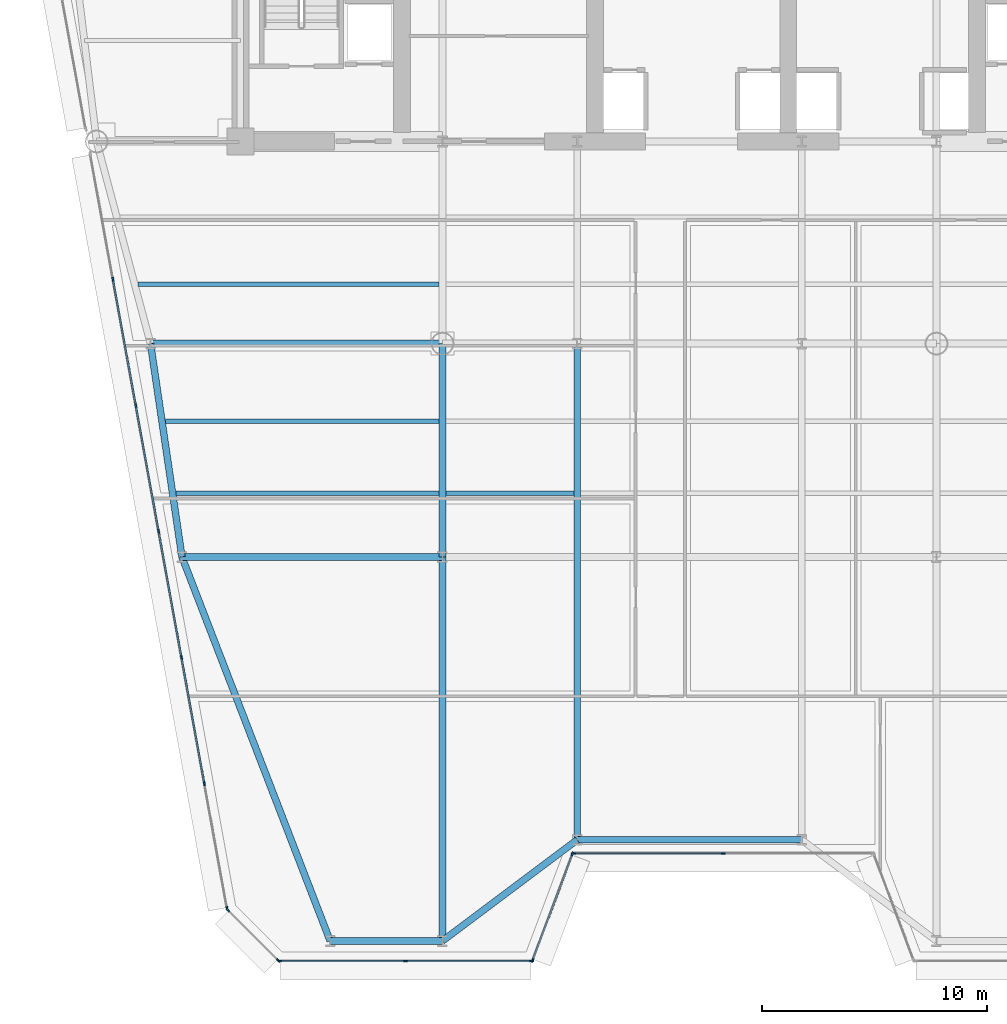
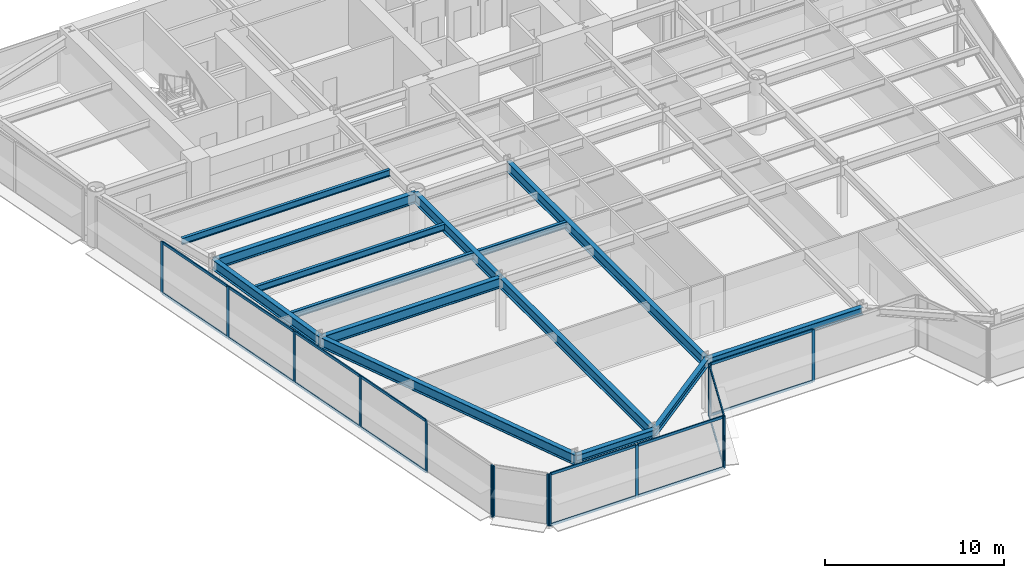
# One storey, part 2 of 14: 31 members, 14 beams, 5 elements without a shape of their own.
"""IFC4 building model written with IfcOpenShell, lengths in metres."""

from ifc_helpers import new_model, si_unit, direction, frame, origin, origin_2d, place, context, subcontext, project, spatial, rectangle, i_section, extrude, source, transform, mapped, material, layer, layer_set, material_profile, profile_set, type_object, element, aggregate, save


model = new_model("IFC4")

# Units and contexts
model_context = context("Model", 3, precision=1e-05, world=origin(), true_north=direction((0.0, 1.0)))
body_context = subcontext(model_context, "Body", "Model", "MODEL_VIEW")
ifc_project = project(units=[si_unit("LENGTHUNIT", "METRE"), si_unit("AREAUNIT", "SQUARE_METRE"), si_unit("VOLUMEUNIT", "CUBIC_METRE"), si_unit("PLANEANGLEUNIT", "RADIAN"), si_unit("MASSUNIT", "GRAM", prefix="KILO")], contexts=[model_context])

# Site, building, storey
site_placement = place(None, origin())
site = spatial("IfcSite", under=ifc_project, at=site_placement, CompositionType="ELEMENT")
building_placement = place(site_placement, origin())
building = spatial("IfcBuilding", under=site, at=building_placement, Name="Vaeldorn Concourse Tower", CompositionType="ELEMENT")
storey_placement = place(building_placement, frame((0.0, 0.0, 145.199951171875)))
storey = spatial("IfcBuildingStorey", under=building, at=storey_placement, Name="L37", CompositionType="ELEMENT", Elevation=145.199951171875)

# Beams
ifc_material_1 = material(Name="Steel S355", Category="steel")
ifc_material_profile_1 = material_profile(ifc_material_1, i_section(OverallWidth=0.300048828125, OverallDepth=0.699951171875, WebThickness=0.01708984375, FlangeThickness=0.031982421875, FilletRadius=0.027099609375, at=origin_2d()), Name="HEB 700")
ifc_profile_set_1 = profile_set([ifc_material_profile_1], Name="Steel S355")
beam_type_1 = type_object("IfcBeamType", Name="BM-PG-HEB700", PredefinedType="BEAM", material=ifc_profile_set_1)
shared_shape_1 = source(origin(), body_context, "Body", "SweptSolid", [
    extrude(i_section(OverallWidth=0.300048828125, OverallDepth=0.699951171875, WebThickness=0.01708984375, FlangeThickness=0.031982421875, FilletRadius=0.027099609375, at=origin_2d()), origin(), (0.0, 0.0, 1.0), 13.0),
])
beam_1_placement = place(storey_placement, frame((10.0, 27.5, 3.18994140625), z_axis=(1.0, 0.0, 0.0), x_axis=(0.0, 1.0, 0.0)))
element("IfcBeam", 1, at=beam_1_placement, inside=storey, type_object=beam_type_1, Name="Beam BM-L37-C-FLW1-C-TW1", PredefinedType="BEAM", context=body_context, shape_type="MappedRepresentation", body=[
    mapped(shared_shape_1, transform((0.0, 0.0, 0.0), scale=1.0)),
])
ifc_material_profile_2 = material_profile(ifc_material_1, i_section(OverallWidth=0.300048828125, OverallDepth=0.5, WebThickness=0.014404296875, FlangeThickness=0.028076171875, FilletRadius=0.027099609375, at=origin_2d()), Name="HEB 500")
ifc_profile_set_2 = profile_set([ifc_material_profile_2], Name="Steel S355")
beam_type_2 = type_object("IfcBeamType", Name="BM-SP-HEB500", PredefinedType="SPANDREL", material=ifc_profile_set_2)
shared_shape_2 = source(origin(), body_context, "Body", "SweptSolid", [
    extrude(i_section(OverallWidth=0.300048828125, OverallDepth=0.5, WebThickness=0.014404296875, FlangeThickness=0.028076171875, FilletRadius=0.027099609375, at=origin_2d()), origin(), (0.0, 0.0, 1.0), 5.0),
])
beam_2_placement = place(storey_placement, frame((18.0, 0.89990234375, 3.2900390625), z_axis=(1.0, 0.0, 0.0), x_axis=(0.0, 1.0, 0.0)))
element("IfcBeam", 2, at=beam_2_placement, inside=storey, type_object=beam_type_2, Name="Beam BM-L37-C-SF1-C-SF2", PredefinedType="SPANDREL", context=body_context, shape_type="MappedRepresentation", body=[
    mapped(shared_shape_2, transform((0.0, 0.0, 0.0), scale=1.0)),
])
shared_shape_3 = source(origin(), body_context, "Body", "SweptSolid", [
    extrude(i_section(OverallWidth=0.300048828125, OverallDepth=0.5, WebThickness=0.014404296875, FlangeThickness=0.028076171875, FilletRadius=0.027099609375, at=origin_2d()), origin(), (0.0, 0.0, 1.0), 7.5),
])
beam_3_placement = place(storey_placement, frame((23.0, 0.89990234375, 3.2900390625), z_axis=(0.8, 0.6, 0.0), x_axis=(-0.6, 0.8, 0.0)))
element("IfcBeam", 3, at=beam_3_placement, inside=storey, type_object=beam_type_2, Name="Beam BM-L37-C-SF2-C-SF3", PredefinedType="SPANDREL", context=body_context, shape_type="MappedRepresentation", body=[
    mapped(shared_shape_3, transform((0.0, 0.0, 0.0), scale=1.0)),
])
shared_shape_4 = source(origin(), body_context, "Body", "SweptSolid", [
    extrude(i_section(OverallWidth=0.300048828125, OverallDepth=0.5, WebThickness=0.014404296875, FlangeThickness=0.028076171875, FilletRadius=0.027099609375, at=origin_2d()), origin(), (0.0, 0.0, 1.0), 10.0),
])
beam_4_placement = place(storey_placement, frame((29.0, 5.39990234375, 3.2900390625), z_axis=(1.0, 0.0, 0.0), x_axis=(0.0, 1.0, 0.0)))
element("IfcBeam", 4, at=beam_4_placement, inside=storey, type_object=beam_type_2, Name="Beam BM-L37-C-SF3-C-SF4", PredefinedType="SPANDREL", context=body_context, shape_type="MappedRepresentation", body=[
    mapped(shared_shape_4, transform((0.0, 0.0, 0.0), scale=1.0)),
])
shared_shape_5 = source(origin(), body_context, "Body", "SweptSolid", [
    extrude(i_section(OverallWidth=0.300048828125, OverallDepth=0.699951171875, WebThickness=0.01708984375, FlangeThickness=0.031982421875, FilletRadius=0.027099609375, at=origin_2d()), origin(), (0.0, 0.0, 1.0), 9.6025390625),
])
beam_5_placement = place(storey_placement, frame((10.0, 27.5, 3.18994140625), z_axis=(0.145783835977, -0.989316467652, 0.0), x_axis=(0.989316467652, 0.145783835977, 0.0)))
element("IfcBeam", 5, at=beam_5_placement, inside=storey, type_object=beam_type_1, Name="Beam BM-L37-C-FLW1-C-FLW2", PredefinedType="BEAM", context=body_context, shape_type="MappedRepresentation", body=[
    mapped(shared_shape_5, transform((0.0, 0.0, 0.0), scale=1.0)),
])
shared_shape_6 = source(origin(), body_context, "Body", "SweptSolid", [
    extrude(i_section(OverallWidth=0.300048828125, OverallDepth=0.699951171875, WebThickness=0.01708984375, FlangeThickness=0.031982421875, FilletRadius=0.027099609375, at=origin_2d()), origin(), (0.0, 0.0, 1.0), 11.60009765625),
])
beam_6_placement = place(storey_placement, frame((11.39990234375, 18.0, 3.18994140625), z_axis=(1.0, 0.0, 0.0), x_axis=(0.0, 1.0, 0.0)))
element("IfcBeam", 6, at=beam_6_placement, inside=storey, type_object=beam_type_1, Name="Beam BM-L37-C-FLW2-C-TW5", PredefinedType="BEAM", context=body_context, shape_type="MappedRepresentation", body=[
    mapped(shared_shape_6, transform((0.0, 0.0, 0.0), scale=1.0)),
])
shared_shape_7 = source(origin(), body_context, "Body", "SweptSolid", [
    extrude(i_section(OverallWidth=0.300048828125, OverallDepth=0.699951171875, WebThickness=0.01708984375, FlangeThickness=0.031982421875, FilletRadius=0.027099609375, at=origin_2d()), origin(), (0.0, 0.0, 1.0), 9.5),
])
beam_7_placement = place(storey_placement, frame((23.0, 18.0, 3.18994140625), z_axis=(0.0, 1.0, 0.0), x_axis=(-1.0, 0.0, 0.0)))
element("IfcBeam", 7, at=beam_7_placement, inside=storey, type_object=beam_type_1, Name="Beam BM-L37-C-TW5-C-TW1", PredefinedType="BEAM", context=body_context, shape_type="MappedRepresentation", body=[
    mapped(shared_shape_7, transform((0.0, 0.0, 0.0), scale=1.0)),
])
ifc_material_profile_3 = material_profile(ifc_material_1, i_section(OverallWidth=0.18994140625, OverallDepth=0.449951171875, WebThickness=0.009521484375, FlangeThickness=0.0146484375, FilletRadius=0.02099609375, at=origin_2d()), Name="IPE 450")
ifc_profile_set_3 = profile_set([ifc_material_profile_3], Name="Steel S355")
beam_type_3 = type_object("IfcBeamType", Name="BM-JS-IPE450", PredefinedType="JOIST", material=ifc_profile_set_3)
shared_shape_8 = source(origin(), body_context, "Body", "SweptSolid", [
    extrude(i_section(OverallWidth=0.18994140625, OverallDepth=0.449951171875, WebThickness=0.009521484375, FlangeThickness=0.0146484375, FilletRadius=0.02099609375, at=origin_2d()), origin(), (0.0, 0.0, 1.0), 11.718505859375),
])
beam_8_placement = place(storey_placement, frame((11.131591796875, 20.840087890625, 3.31494140625), z_axis=(1.0, 0.0, 0.0), x_axis=(0.0, 1.0, 0.0)))
element("IfcBeam", 8, at=beam_8_placement, inside=storey, type_object=beam_type_3, Name="Beam JS-L37-W1-208", PredefinedType="JOIST", context=body_context, shape_type="MappedRepresentation", body=[
    mapped(shared_shape_8, transform((0.0, 0.0, 0.0), scale=1.0)),
])
shared_shape_9 = source(origin(), body_context, "Body", "SweptSolid", [
    extrude(i_section(OverallWidth=0.18994140625, OverallDepth=0.449951171875, WebThickness=0.009521484375, FlangeThickness=0.0146484375, FilletRadius=0.02099609375, at=origin_2d()), origin(), (0.0, 0.0, 1.0), 5.7001953125),
])
beam_9_placement = place(storey_placement, frame((23.14990234375, 20.840087890625, 3.31494140625), z_axis=(1.0, 0.0, 0.0), x_axis=(0.0, 1.0, 0.0)))
element("IfcBeam", 9, at=beam_9_placement, inside=storey, type_object=beam_type_3, Name="Beam JS-L37-W2-208", PredefinedType="JOIST", context=body_context, shape_type="MappedRepresentation", body=[
    mapped(shared_shape_9, transform((0.0, 0.0, 0.0), scale=1.0)),
])
shared_shape_10 = source(origin(), body_context, "Body", "SweptSolid", [
    extrude(i_section(OverallWidth=0.18994140625, OverallDepth=0.449951171875, WebThickness=0.009521484375, FlangeThickness=0.0146484375, FilletRadius=0.02099609375, at=origin_2d()), origin(), (0.0, 0.0, 1.0), 12.190185546875),
])
beam_10_placement = place(storey_placement, frame((10.659912109375, 24.0400390625, 3.31494140625), z_axis=(1.0, 0.0, 0.0), x_axis=(0.0, 1.0, 0.0)))
element("IfcBeam", 10, at=beam_10_placement, inside=storey, type_object=beam_type_3, Name="Beam JS-L37-W1-240", PredefinedType="JOIST", context=body_context, shape_type="MappedRepresentation", body=[
    mapped(shared_shape_10, transform((0.0, 0.0, 0.0), scale=1.0)),
])
shared_shape_11 = source(origin(), body_context, "Body", "SweptSolid", [
    extrude(i_section(OverallWidth=0.18994140625, OverallDepth=0.449951171875, WebThickness=0.009521484375, FlangeThickness=0.0146484375, FilletRadius=0.02099609375, at=origin_2d()), origin(), (0.0, 0.0, 1.0), 13.404052734375),
])
beam_11_placement = place(storey_placement, frame((9.446044921875, 30.139892578125, 3.31494140625), z_axis=(1.0, 0.0, 0.0), x_axis=(0.0, 1.0, 0.0)))
element("IfcBeam", 11, at=beam_11_placement, inside=storey, type_object=beam_type_3, Name="Beam JS-L37-W1-301", PredefinedType="JOIST", context=body_context, shape_type="MappedRepresentation", body=[
    mapped(shared_shape_11, transform((0.0, 0.0, 0.0), scale=1.0)),
])
shared_shape_12 = source(origin(), body_context, "Body", "SweptSolid", [
    extrude(i_section(OverallWidth=0.300048828125, OverallDepth=0.699951171875, WebThickness=0.01708984375, FlangeThickness=0.031982421875, FilletRadius=0.027099609375, at=origin_2d()), origin(), (0.0, 0.0, 1.0), 18.32958984375),
])
beam_12_placement = place(storey_placement, frame((18.0, 0.89990234375, 3.18994140625), z_axis=(-0.36007844134, 0.932922031084, 0.0), x_axis=(-0.932922031084, -0.36007844134, 0.0)))
element("IfcBeam", 12, at=beam_12_placement, inside=storey, type_object=beam_type_1, Name="Beam BM-L37-C-SF1-C-FLW2", PredefinedType="BEAM", context=body_context, shape_type="MappedRepresentation", body=[
    mapped(shared_shape_12, transform((0.0, 0.0, 0.0), scale=1.0)),
])
shared_shape_13 = source(origin(), body_context, "Body", "SweptSolid", [
    extrude(i_section(OverallWidth=0.300048828125, OverallDepth=0.699951171875, WebThickness=0.01708984375, FlangeThickness=0.031982421875, FilletRadius=0.027099609375, at=origin_2d()), origin(), (0.0, 0.0, 1.0), 17.10009765625),
])
beam_13_placement = place(storey_placement, frame((23.0, 0.89990234375, 3.18994140625), z_axis=(0.0, 1.0, 0.0), x_axis=(-1.0, 0.0, 0.0)))
element("IfcBeam", 13, at=beam_13_placement, inside=storey, type_object=beam_type_1, Name="Beam BM-L37-C-SF2-C-TW5", PredefinedType="BEAM", context=body_context, shape_type="MappedRepresentation", body=[
    mapped(shared_shape_13, transform((0.0, 0.0, 0.0), scale=1.0)),
])
shared_shape_14 = source(origin(), body_context, "Body", "SweptSolid", [
    extrude(i_section(OverallWidth=0.300048828125, OverallDepth=0.699951171875, WebThickness=0.01708984375, FlangeThickness=0.031982421875, FilletRadius=0.027099609375, at=origin_2d()), origin(), (0.0, 0.0, 1.0), 22.10009765625),
])
beam_14_placement = place(storey_placement, frame((29.0, 5.39990234375, 3.18994140625), z_axis=(0.0, 1.0, 0.0), x_axis=(-1.0, 0.0, 0.0)))
element("IfcBeam", 14, at=beam_14_placement, inside=storey, type_object=beam_type_1, Name="Beam BM-L37-C-SF3-C-TW2", PredefinedType="BEAM", context=body_context, shape_type="MappedRepresentation", body=[
    mapped(shared_shape_14, transform((0.0, 0.0, 0.0), scale=1.0)),
])

# Curtain wall, members
ifc_material_2 = material(Name="Anodised Bronze Aluminium", Category="aluminium")
ifc_layer = layer(ifc_material_2, 0.199951171875)
ifc_layer_set = layer_set([ifc_layer], Name="Anodised Bronze Aluminium")
curtain_wall_type = type_object("IfcCurtainWallType", Name="CW-SYS-02", PredefinedType="NOTDEFINED", material=ifc_layer_set)
curtain_wall_1_placement = place(storey_placement, origin())
curtain_wall_1 = element("IfcCurtainWall", 15, at=curtain_wall_1_placement, inside=storey, type_object=curtain_wall_type, Name="Unitised Curtain Wall CW-L37-E01-1", PredefinedType="NOTDEFINED")
ifc_material_profile_4 = material_profile(ifc_material_2, rectangle(XDim=0.074951171875, YDim=0.179931640625, at=origin_2d()), Name="CWT 75x180")
ifc_profile_set_4 = profile_set([ifc_material_profile_4], Name="Anodised Bronze Aluminium")
member_type_1 = type_object("IfcMemberType", Name="CWT-BRONZE-180", PredefinedType="USERDEFINED", material=ifc_profile_set_4)
shared_shape_15 = source(origin(), body_context, "Body", "SweptSolid", [
    extrude(rectangle(XDim=0.074951171875, YDim=0.179931640625, at=origin_2d()), origin(), (0.0, 0.0, 1.0), 5.530029296875),
])
member_1_placement = place(storey_placement, frame((15.7900390625, 0.0, 0.03759765625), z_axis=(1.0, 0.0, 0.0), x_axis=(0.0, 1.0, 0.0)))
member_1 = element("IfcMember", 16, at=member_1_placement, type_object=member_type_1, Name="CW-02 transom 1.1", ObjectType="TRANSOM", PredefinedType="USERDEFINED", context=body_context, shape_type="MappedRepresentation", body=[
    mapped(shared_shape_15, transform((0.0, 0.0, 0.0), scale=1.0)),
])
member_2_placement = place(storey_placement, frame((15.7900390625, 0.0, 3.50244140625), z_axis=(1.0, 0.0, 0.0), x_axis=(0.0, 1.0, 0.0)))
member_2 = element("IfcMember", 17, at=member_2_placement, type_object=member_type_1, Name="CW-02 transom 1.2", ObjectType="TRANSOM", PredefinedType="USERDEFINED", context=body_context, shape_type="MappedRepresentation", body=[
    mapped(shared_shape_15, transform((0.0, 0.0, 0.0), scale=1.0)),
])
member_3_placement = place(storey_placement, frame((21.39501953125, 0.0, 0.03759765625), z_axis=(1.0, 0.0, 0.0), x_axis=(0.0, 1.0, 0.0)))
member_3 = element("IfcMember", 18, at=member_3_placement, type_object=member_type_1, Name="CW-02 transom 2.1", ObjectType="TRANSOM", PredefinedType="USERDEFINED", context=body_context, shape_type="MappedRepresentation", body=[
    mapped(shared_shape_15, transform((0.0, 0.0, 0.0), scale=1.0)),
])
member_4_placement = place(storey_placement, frame((21.39501953125, 0.0, 3.50244140625), z_axis=(1.0, 0.0, 0.0), x_axis=(0.0, 1.0, 0.0)))
member_4 = element("IfcMember", 19, at=member_4_placement, type_object=member_type_1, Name="CW-02 transom 2.2", ObjectType="TRANSOM", PredefinedType="USERDEFINED", context=body_context, shape_type="MappedRepresentation", body=[
    mapped(shared_shape_15, transform((0.0, 0.0, 0.0), scale=1.0)),
])

curtain_wall_2_placement = place(storey_placement, origin())
curtain_wall_2 = element("IfcCurtainWall", 20, at=curtain_wall_2_placement, inside=storey, type_object=curtain_wall_type, Name="Unitised Curtain Wall CW-L37-E02-1", PredefinedType="NOTDEFINED")
shared_shape_16 = source(origin(), body_context, "Body", "SweptSolid", [
    extrude(rectangle(XDim=0.074951171875, YDim=0.179931640625, at=origin_2d()), origin(), (0.0, 0.0, 1.0), 4.976318359375),
])
member_5_placement = place(storey_placement, frame((27.0263671875, 0.0703125, 0.03759765625), z_axis=(0.351128818119, 0.936327161352, 0.0), x_axis=(-0.936327161352, 0.351128818119, 0.0)))
member_5 = element("IfcMember", 21, at=member_5_placement, type_object=member_type_1, Name="CW-02 transom 1.1", ObjectType="TRANSOM", PredefinedType="USERDEFINED", context=body_context, shape_type="MappedRepresentation", body=[
    mapped(shared_shape_16, transform((0.0, 0.0, 0.0), scale=1.0)),
])
member_6_placement = place(storey_placement, frame((27.0263671875, 0.0703125, 3.50244140625), z_axis=(0.351128818119, 0.936327161352, 0.0), x_axis=(-0.936327161352, 0.351128818119, 0.0)))
member_6 = element("IfcMember", 22, at=member_6_placement, type_object=member_type_1, Name="CW-02 transom 1.2", ObjectType="TRANSOM", PredefinedType="USERDEFINED", context=body_context, shape_type="MappedRepresentation", body=[
    mapped(shared_shape_16, transform((0.0, 0.0, 0.0), scale=1.0)),
])

curtain_wall_3_placement = place(storey_placement, origin())
curtain_wall_3 = element("IfcCurtainWall", 23, at=curtain_wall_3_placement, inside=storey, type_object=curtain_wall_type, Name="Unitised Curtain Wall CW-L37-E03-1", PredefinedType="NOTDEFINED")
shared_shape_17 = source(origin(), body_context, "Body", "SweptSolid", [
    extrude(rectangle(XDim=0.074951171875, YDim=0.179931640625, at=origin_2d()), origin(), (0.0, 0.0, 1.0), 6.58740234375),
])
member_7_placement = place(storey_placement, frame((28.875, 4.800048828125, 0.03759765625), z_axis=(1.0, 0.0, 0.0), x_axis=(0.0, 1.0, 0.0)))
member_7 = element("IfcMember", 24, at=member_7_placement, type_object=member_type_1, Name="CW-02 transom 1.1", ObjectType="TRANSOM", PredefinedType="USERDEFINED", context=body_context, shape_type="MappedRepresentation", body=[
    mapped(shared_shape_17, transform((0.0, 0.0, 0.0), scale=1.0)),
])
member_8_placement = place(storey_placement, frame((28.875, 4.800048828125, 3.50244140625), z_axis=(1.0, 0.0, 0.0), x_axis=(0.0, 1.0, 0.0)))
member_8 = element("IfcMember", 25, at=member_8_placement, type_object=member_type_1, Name="CW-02 transom 1.2", ObjectType="TRANSOM", PredefinedType="USERDEFINED", context=body_context, shape_type="MappedRepresentation", body=[
    mapped(shared_shape_17, transform((0.0, 0.0, 0.0), scale=1.0)),
])

# Member
ifc_material_profile_5 = material_profile(ifc_material_2, rectangle(XDim=0.074951171875, YDim=0.18994140625, at=origin_2d()), Name="CWM 75x190")
ifc_profile_set_5 = profile_set([ifc_material_profile_5], Name="Anodised Bronze Aluminium")
member_type_2 = type_object("IfcMemberType", Name="CWM-BRONZE-190", PredefinedType="MULLION", material=ifc_profile_set_5)
shared_shape_18 = source(origin(), body_context, "Body", "SweptSolid", [
    extrude(rectangle(XDim=0.074951171875, YDim=0.18994140625, at=origin_2d()), origin(), (0.0, 0.0, 1.0), 3.5400390625),
])
member_9_placement = place(storey_placement, frame((15.75244140625, 0.0, 0.0), z_axis=(0.0, 0.0, 1.0), x_axis=(0.0, 1.0, 0.0)))
member_9 = element("IfcMember", 26, at=member_9_placement, type_object=member_type_2, Name="CW-02 mullion 1", PredefinedType="MULLION", context=body_context, shape_type="MappedRepresentation", body=[
    mapped(shared_shape_18, transform((0.0, 0.0, 0.0), scale=1.0)),
])

member_10_placement = place(storey_placement, frame((21.357421875, 0.0, 0.0), z_axis=(0.0, 0.0, 1.0), x_axis=(0.0, 1.0, 0.0)))
member_10 = element("IfcMember", 27, at=member_10_placement, type_object=member_type_2, Name="CW-02 mullion 2", PredefinedType="MULLION", context=body_context, shape_type="MappedRepresentation", body=[
    mapped(shared_shape_18, transform((0.0, 0.0, 0.0), scale=1.0)),
])

member_11_placement = place(storey_placement, frame((26.96240234375, 0.0, 0.0), z_axis=(0.0, 0.0, 1.0), x_axis=(0.0, 1.0, 0.0)))
member_11 = element("IfcMember", 28, at=member_11_placement, type_object=member_type_2, Name="CW-02 mullion 3", PredefinedType="MULLION", context=body_context, shape_type="MappedRepresentation", body=[
    mapped(shared_shape_18, transform((0.0, 0.0, 0.0), scale=1.0)),
])

aggregate(curtain_wall_1, [member_9, member_10, member_11, member_1, member_2, member_3, member_4])

member_12_placement = place(storey_placement, frame((27.01318359375, 0.03515625, 0.0), z_axis=(0.0, 0.0, 1.0), x_axis=(-0.936329177566, 0.351123441595, 0.0)))
member_12 = element("IfcMember", 29, at=member_12_placement, type_object=member_type_2, Name="CW-02 mullion 1", PredefinedType="MULLION", context=body_context, shape_type="MappedRepresentation", body=[
    mapped(shared_shape_18, transform((0.0, 0.0, 0.0), scale=1.0)),
])

member_13_placement = place(storey_placement, frame((28.786865234375, 4.764892578125, 0.0), z_axis=(0.0, 0.0, 1.0), x_axis=(-0.936329177566, 0.351123441595, 0.0)))
member_13 = element("IfcMember", 30, at=member_13_placement, type_object=member_type_2, Name="CW-02 mullion 2", PredefinedType="MULLION", context=body_context, shape_type="MappedRepresentation", body=[
    mapped(shared_shape_18, transform((0.0, 0.0, 0.0), scale=1.0)),
])

aggregate(curtain_wall_2, [member_12, member_13, member_5, member_6])

member_14_placement = place(storey_placement, frame((28.83740234375, 4.800048828125, 0.0), z_axis=(0.0, 0.0, 1.0), x_axis=(0.0, 1.0, 0.0)))
member_14 = element("IfcMember", 31, at=member_14_placement, type_object=member_type_2, Name="CW-02 mullion 1", PredefinedType="MULLION", context=body_context, shape_type="MappedRepresentation", body=[
    mapped(shared_shape_18, transform((0.0, 0.0, 0.0), scale=1.0)),
])

member_15_placement = place(storey_placement, frame((35.5, 4.800048828125, 0.0), z_axis=(0.0, 0.0, 1.0), x_axis=(0.0, 1.0, 0.0)))
member_15 = element("IfcMember", 32, at=member_15_placement, type_object=member_type_2, Name="CW-02 mullion 2", PredefinedType="MULLION", context=body_context, shape_type="MappedRepresentation", body=[
    mapped(shared_shape_18, transform((0.0, 0.0, 0.0), scale=1.0)),
])

aggregate(curtain_wall_3, [member_14, member_15, member_7, member_8])

# Curtain wall, members
curtain_wall_4_placement = place(storey_placement, origin())
curtain_wall_4 = element("IfcCurtainWall", 33, at=curtain_wall_4_placement, inside=storey, type_object=curtain_wall_type, Name="Unitised Curtain Wall CW-L37-E11-2", PredefinedType="NOTDEFINED")
member_16_placement = place(storey_placement, frame((8.324462890625, 30.368408203125, 0.0), z_axis=(0.0, 0.0, 1.0), x_axis=(0.983949505309, 0.178447109818, 0.0)))
member_16 = element("IfcMember", 34, at=member_16_placement, type_object=member_type_2, Name="CW-02 mullion 2", PredefinedType="MULLION", context=body_context, shape_type="MappedRepresentation", body=[
    mapped(shared_shape_18, transform((0.0, 0.0, 0.0), scale=1.0)),
])
member_17_placement = place(storey_placement, frame((9.3427734375, 24.754638671875, 0.0), z_axis=(0.0, 0.0, 1.0), x_axis=(0.983949505309, 0.178447109818, 0.0)))
member_17 = element("IfcMember", 35, at=member_17_placement, type_object=member_type_2, Name="CW-02 mullion 3", PredefinedType="MULLION", context=body_context, shape_type="MappedRepresentation", body=[
    mapped(shared_shape_18, transform((0.0, 0.0, 0.0), scale=1.0)),
])
member_18_placement = place(storey_placement, frame((10.36083984375, 19.14111328125, 0.0), z_axis=(0.0, 0.0, 1.0), x_axis=(0.983949505309, 0.178447109818, 0.0)))
member_18 = element("IfcMember", 36, at=member_18_placement, type_object=member_type_2, Name="CW-02 mullion 4", PredefinedType="MULLION", context=body_context, shape_type="MappedRepresentation", body=[
    mapped(shared_shape_18, transform((0.0, 0.0, 0.0), scale=1.0)),
])
member_19_placement = place(storey_placement, frame((11.37890625, 13.52734375, 0.0), z_axis=(0.0, 0.0, 1.0), x_axis=(0.983949505309, 0.178447109818, 0.0)))
member_19 = element("IfcMember", 37, at=member_19_placement, type_object=member_type_2, Name="CW-02 mullion 5", PredefinedType="MULLION", context=body_context, shape_type="MappedRepresentation", body=[
    mapped(shared_shape_18, transform((0.0, 0.0, 0.0), scale=1.0)),
])
member_20_placement = place(storey_placement, frame((12.39697265625, 7.91357421875, 0.0), z_axis=(0.0, 0.0, 1.0), x_axis=(0.983949505309, 0.178447109818, 0.0)))
member_20 = element("IfcMember", 38, at=member_20_placement, type_object=member_type_2, Name="CW-02 mullion 6", PredefinedType="MULLION", context=body_context, shape_type="MappedRepresentation", body=[
    mapped(shared_shape_18, transform((0.0, 0.0, 0.0), scale=1.0)),
])
member_21_placement = place(storey_placement, frame((13.408203125, 2.3369140625, 0.0), z_axis=(0.0, 0.0, 1.0), x_axis=(0.983949505309, 0.178447109818, 0.0)))
member_21 = element("IfcMember", 39, at=member_21_placement, type_object=member_type_2, Name="CW-02 mullion 7", PredefinedType="MULLION", context=body_context, shape_type="MappedRepresentation", body=[
    mapped(shared_shape_18, transform((0.0, 0.0, 0.0), scale=1.0)),
])

curtain_wall_5_placement = place(storey_placement, origin())
curtain_wall_5 = element("IfcCurtainWall", 40, at=curtain_wall_5_placement, inside=storey, type_object=curtain_wall_type, Name="Unitised Curtain Wall CW-L37-E12-1", PredefinedType="NOTDEFINED")
member_22_placement = place(storey_placement, frame((13.44140625, 2.2734375, 0.0), z_axis=(0.0, 0.0, 1.0), x_axis=(0.707106781187, 0.707106781187, 0.0)))
member_22 = element("IfcMember", 41, at=member_22_placement, type_object=member_type_2, Name="CW-02 mullion 1", PredefinedType="MULLION", context=body_context, shape_type="MappedRepresentation", body=[
    mapped(shared_shape_18, transform((0.0, 0.0, 0.0), scale=1.0)),
])
member_23_placement = place(storey_placement, frame((15.6884765625, 0.026611328125, 0.0), z_axis=(0.0, 0.0, 1.0), x_axis=(0.707106781187, 0.707106781187, 0.0)))
member_23 = element("IfcMember", 42, at=member_23_placement, type_object=member_type_2, Name="CW-02 mullion 2", PredefinedType="MULLION", context=body_context, shape_type="MappedRepresentation", body=[
    mapped(shared_shape_18, transform((0.0, 0.0, 0.0), scale=1.0)),
])
aggregate(curtain_wall_5, [member_22, member_23])

# Member
shared_shape_19 = source(origin(), body_context, "Body", "SweptSolid", [
    extrude(rectangle(XDim=0.074951171875, YDim=0.179931640625, at=origin_2d()), origin(), (0.0, 0.0, 1.0), 5.630126953125),
])
member_24_placement = place(storey_placement, frame((9.349365234375, 24.7177734375, 0.03759765625), z_axis=(0.178438953811, -0.983950984431, 0.0), x_axis=(0.983950984431, 0.178438953811, 0.0)))
member_24 = element("IfcMember", 43, at=member_24_placement, type_object=member_type_1, Name="CW-02 transom 3.1", ObjectType="TRANSOM", PredefinedType="USERDEFINED", context=body_context, shape_type="MappedRepresentation", body=[
    mapped(shared_shape_19, transform((0.0, 0.0, 0.0), scale=1.0)),
])

member_25_placement = place(storey_placement, frame((9.349365234375, 24.7177734375, 3.50244140625), z_axis=(0.178438953811, -0.983950984431, 0.0), x_axis=(0.983950984431, 0.178438953811, 0.0)))
member_25 = element("IfcMember", 44, at=member_25_placement, type_object=member_type_1, Name="CW-02 transom 3.2", ObjectType="TRANSOM", PredefinedType="USERDEFINED", context=body_context, shape_type="MappedRepresentation", body=[
    mapped(shared_shape_19, transform((0.0, 0.0, 0.0), scale=1.0)),
])

member_26_placement = place(storey_placement, frame((10.367431640625, 19.10400390625, 0.03759765625), z_axis=(0.178438953811, -0.983950984431, 0.0), x_axis=(0.983950984431, 0.178438953811, 0.0)))
member_26 = element("IfcMember", 45, at=member_26_placement, type_object=member_type_1, Name="CW-02 transom 4.1", ObjectType="TRANSOM", PredefinedType="USERDEFINED", context=body_context, shape_type="MappedRepresentation", body=[
    mapped(shared_shape_19, transform((0.0, 0.0, 0.0), scale=1.0)),
])

member_27_placement = place(storey_placement, frame((10.367431640625, 19.10400390625, 3.50244140625), z_axis=(0.178438953811, -0.983950984431, 0.0), x_axis=(0.983950984431, 0.178438953811, 0.0)))
member_27 = element("IfcMember", 46, at=member_27_placement, type_object=member_type_1, Name="CW-02 transom 4.2", ObjectType="TRANSOM", PredefinedType="USERDEFINED", context=body_context, shape_type="MappedRepresentation", body=[
    mapped(shared_shape_19, transform((0.0, 0.0, 0.0), scale=1.0)),
])

member_28_placement = place(storey_placement, frame((11.385498046875, 13.490478515625, 0.03759765625), z_axis=(0.178438953811, -0.983950984431, 0.0), x_axis=(0.983950984431, 0.178438953811, 0.0)))
member_28 = element("IfcMember", 47, at=member_28_placement, type_object=member_type_1, Name="CW-02 transom 5.1", ObjectType="TRANSOM", PredefinedType="USERDEFINED", context=body_context, shape_type="MappedRepresentation", body=[
    mapped(shared_shape_19, transform((0.0, 0.0, 0.0), scale=1.0)),
])

member_29_placement = place(storey_placement, frame((11.385498046875, 13.490478515625, 3.50244140625), z_axis=(0.178438953811, -0.983950984431, 0.0), x_axis=(0.983950984431, 0.178438953811, 0.0)))
member_29 = element("IfcMember", 48, at=member_29_placement, type_object=member_type_1, Name="CW-02 transom 5.2", ObjectType="TRANSOM", PredefinedType="USERDEFINED", context=body_context, shape_type="MappedRepresentation", body=[
    mapped(shared_shape_19, transform((0.0, 0.0, 0.0), scale=1.0)),
])

shared_shape_20 = source(origin(), body_context, "Body", "SweptSolid", [
    extrude(rectangle(XDim=0.074951171875, YDim=0.179931640625, at=origin_2d()), origin(), (0.0, 0.0, 1.0), 5.63037109375),
])
member_30_placement = place(storey_placement, frame((8.331298828125, 30.33154296875, 0.03759765625), z_axis=(0.178431340655, -0.983952365042, 0.0), x_axis=(0.983952365042, 0.178431340655, 0.0)))
member_30 = element("IfcMember", 49, at=member_30_placement, type_object=member_type_1, Name="CW-02 transom 2.1", ObjectType="TRANSOM", PredefinedType="USERDEFINED", context=body_context, shape_type="MappedRepresentation", body=[
    mapped(shared_shape_20, transform((0.0, 0.0, 0.0), scale=1.0)),
])

member_31_placement = place(storey_placement, frame((8.331298828125, 30.33154296875, 3.50244140625), z_axis=(0.178431340655, -0.983952365042, 0.0), x_axis=(0.983952365042, 0.178431340655, 0.0)))
member_31 = element("IfcMember", 50, at=member_31_placement, type_object=member_type_1, Name="CW-02 transom 2.2", ObjectType="TRANSOM", PredefinedType="USERDEFINED", context=body_context, shape_type="MappedRepresentation", body=[
    mapped(shared_shape_20, transform((0.0, 0.0, 0.0), scale=1.0)),
])

aggregate(curtain_wall_4, [member_16, member_17, member_18, member_19, member_20, member_21, member_30, member_31, member_24, member_25, member_26, member_27, member_28, member_29])

save(model, "model.ifc")
